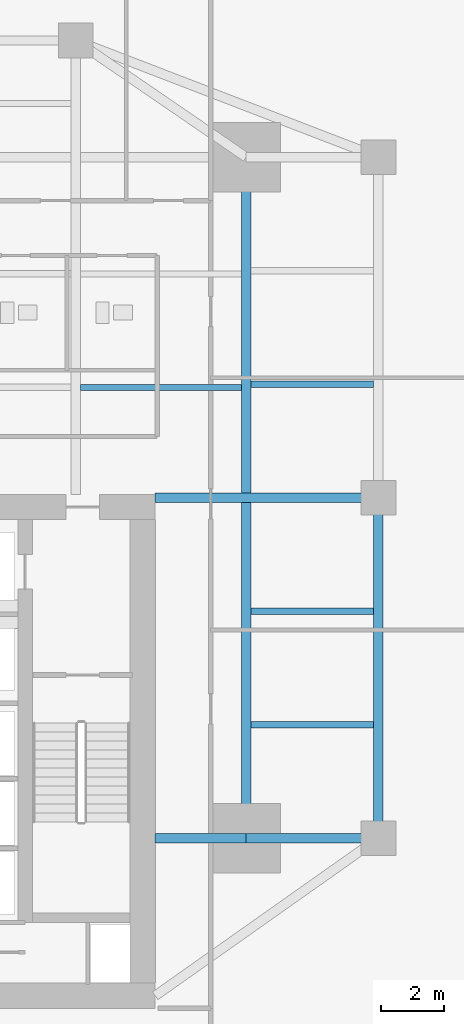
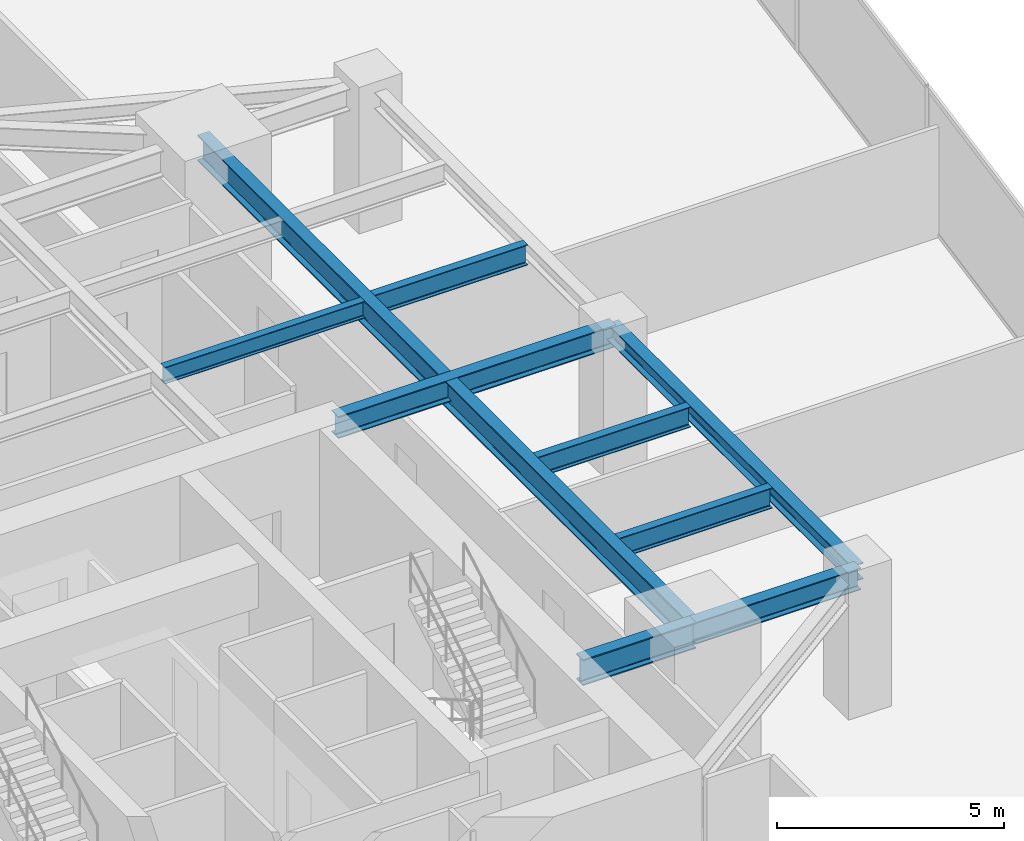
# One storey, part 13 of 29: 9 beams.
"""IFC4 building model written with IfcOpenShell, lengths in metres."""

import ifcopenshell
import ifcopenshell.guid

model = None  # the IFC model being written
_history = None  # IfcOwnerHistory: only IFC2X3 demands one
_inside = {}  # id of a spatial element -> (the spatial element, [elements in it])
_under = {}  # id of a project, library or spatial element -> (it, [spatial elements below it])
_declared = {}  # id of a project -> (the project, [libraries it declares])
_typed = {}  # id of a type object -> (the type object, [elements of that type])
_made_of = {}  # id of a material, layer set ... -> (it, [elements and type objects made of it])


def new_model(schema):
    """Start an empty IFC model of exactly this schema.

    Asked for "IFC4X3", IfcOpenShell would pick the latest addendum, in which some entities
    have other attributes; the version numbers below select the first issue.
    IFC2X3 requires an IfcOwnerHistory on every rooted entity: one is made here for all.
    """
    global model, _history
    if schema == "IFC4X3":
        model = ifcopenshell.file(schema_version=(4, 3, 0, 0))
    else:
        model = ifcopenshell.file(schema=schema)
    _inside.clear()
    _under.clear()
    _declared.clear()
    _typed.clear()
    _made_of.clear()
    _history = None
    if model.schema == "IFC2X3":
        org = make("IfcOrganization", Name="unknown")
        user = make(
            "IfcPersonAndOrganization",
            ThePerson=make("IfcPerson", FamilyName="unknown"),
            TheOrganization=org,
        )
        app = make(
            "IfcApplication",
            ApplicationDeveloper=org,
            Version="unknown",
            ApplicationFullName="unknown",
            ApplicationIdentifier="unknown",
        )
        _history = make(
            "IfcOwnerHistory",
            OwningUser=user,
            OwningApplication=app,
            ChangeAction="ADDED",
            CreationDate=0,
        )
    return model


def make(cls, **values):
    """One entity of the class cls with the attributes given. An attribute that is None is left unset."""
    return model.create_entity(
        cls, **{name: value for name, value in values.items() if value is not None}
    )


def rooted(cls, **values):
    """An entity with a GlobalId (a new one), such as an element, a storey or a relation."""
    return make(cls, GlobalId=ifcopenshell.guid.new(), OwnerHistory=_history, **values)


def si_unit(unit_type, name, prefix=None):
    """IfcSIUnit, for example si_unit("LENGTHUNIT", "METRE", prefix="MILLI")."""
    return make("IfcSIUnit", UnitType=unit_type, Prefix=prefix, Name=name)


def assignment(units):
    """IfcUnitAssignment: the units of a project."""
    return None if units is None else make("IfcUnitAssignment", Units=units)


def point(xyz):
    """IfcCartesianPoint."""
    return None if xyz is None else make("IfcCartesianPoint", Coordinates=xyz)


def direction(xyz):
    """IfcDirection."""
    return None if xyz is None else make("IfcDirection", DirectionRatios=xyz)


def frame(location, z_axis=None, x_axis=None):
    """IfcAxis2Placement3D, a coordinate frame: its origin and axes. An axis left out is left unset."""
    return make(
        "IfcAxis2Placement3D",
        Location=point(location),
        Axis=direction(z_axis),
        RefDirection=direction(x_axis),
    )


def frame_2d(location, x_axis=None):
    """IfcAxis2Placement2D, a coordinate frame in the plane: its origin and x axis."""
    return make(
        "IfcAxis2Placement2D", Location=point(location), RefDirection=direction(x_axis)
    )


def origin():
    """The frame at (0, 0, 0) with its axes left unset."""
    return frame((0.0, 0.0, 0.0))


def origin_2d():
    """The frame at (0, 0) in the plane with its x axis left unset."""
    return frame_2d((0.0, 0.0))


def place(relative_to, where):
    """IfcLocalPlacement: puts the frame where relative to a parent placement (None: the world)."""
    return make(
        "IfcLocalPlacement", PlacementRelTo=relative_to, RelativePlacement=where
    )


def context(
    kind, dimensions, precision=None, world=None, true_north=None, identifier=None
):
    """IfcGeometricRepresentationContext, for example the 3D "Model" context."""
    return make(
        "IfcGeometricRepresentationContext",
        ContextIdentifier=identifier,
        ContextType=kind,
        CoordinateSpaceDimension=dimensions,
        Precision=precision,
        WorldCoordinateSystem=world,
        TrueNorth=true_north,
    )


def subcontext(parent, identifier, kind, view, scale=None):
    """IfcGeometricRepresentationSubContext, for example "Body" below "Model"."""
    return make(
        "IfcGeometricRepresentationSubContext",
        ContextIdentifier=identifier,
        ContextType=kind,
        ParentContext=parent,
        TargetScale=scale,
        TargetView=view,
    )


def project(units=None, contexts=None):
    """IfcProject with its units and contexts."""
    return rooted(
        "IfcProject",
        Name="project",
        RepresentationContexts=contexts,
        UnitsInContext=assignment(units),
    )


def spatial(cls, under=None, at=None, **own):
    """A site, building, storey or space (cls), placed at a placement, below another one or the project."""
    s = rooted(cls, ObjectPlacement=at, **own)
    if under is not None:
        _under.setdefault(under.id(), (under, []))[1].append(s)
    return s


def profile(cls, at=None, kind="AREA", **sizes):
    """A parametric profile (cls). Its sizes go by their IFC names, for example OverallWidth=200.0."""
    return make(cls, ProfileType=kind, Position=at, **sizes)


def i_section(**sizes):
    """IfcIShapeProfileDef."""
    return profile("IfcIShapeProfileDef", **sizes)


def extrude(swept, where, along, depth):
    """IfcExtrudedAreaSolid: the profile swept, set in the frame where, extruded along a direction by depth."""
    return make(
        "IfcExtrudedAreaSolid",
        SweptArea=swept,
        Position=where,
        ExtrudedDirection=direction(along),
        Depth=depth,
    )


def shape(context_of_items, identifier, shape_type, items):
    """IfcShapeRepresentation: the items that make up one representation, for example the "Body"."""
    return make(
        "IfcShapeRepresentation",
        ContextOfItems=context_of_items,
        RepresentationIdentifier=identifier,
        RepresentationType=shape_type,
        Items=items,
    )


def source(mapping_origin, context_of_items, identifier, shape_type, items):
    """IfcRepresentationMap: a shape defined once, which mapped items show again and again."""
    return make(
        "IfcRepresentationMap",
        MappingOrigin=mapping_origin,
        MappedRepresentation=shape(context_of_items, identifier, shape_type, items),
    )


def transform(
    local_origin,
    x_axis=None,
    y_axis=None,
    z_axis=None,
    scale=None,
    scale2=None,
    scale3=None,
    uniform=True,
):
    """IfcCartesianTransformationOperator3D, or its non-uniform kind. x_axis, y_axis, z_axis: its Axis1, 2, 3."""
    if uniform:
        return make(
            "IfcCartesianTransformationOperator3D",
            Axis1=direction(x_axis),
            Axis2=direction(y_axis),
            LocalOrigin=point(local_origin),
            Scale=scale,
            Axis3=direction(z_axis),
        )
    return make(
        "IfcCartesianTransformationOperator3DnonUniform",
        Axis1=direction(x_axis),
        Axis2=direction(y_axis),
        LocalOrigin=point(local_origin),
        Scale=scale,
        Axis3=direction(z_axis),
        Scale2=scale2,
        Scale3=scale3,
    )


def mapped(mapping_source, mapping_target):
    """IfcMappedItem: shows the shape of a source again, moved by a transform."""
    return make(
        "IfcMappedItem", MappingSource=mapping_source, MappingTarget=mapping_target
    )


def material(Name=None, Category=None):
    """IfcMaterial."""
    return make("IfcMaterial", Name=Name, Category=Category)


def material_profile(
    of_material, cross_section, Name=None, Category=None, Priority=None
):
    """IfcMaterialProfile: a cross section and its material."""
    return make(
        "IfcMaterialProfile",
        Name=Name,
        Material=of_material,
        Profile=cross_section,
        Priority=Priority,
        Category=Category,
    )


def profile_set(profiles, Name=None, composite=None):
    """IfcMaterialProfileSet."""
    return make(
        "IfcMaterialProfileSet",
        Name=Name,
        MaterialProfiles=profiles,
        CompositeProfile=composite,
    )


def made_of(thing, what):
    """Note that an element or type object is made of a material, layer set ...; save() writes the relation."""
    if what is not None:
        _made_of.setdefault(what.id(), (what, []))[1].append(thing)
    return thing


def type_object(cls, material=None, **own):
    """A type object (cls), such as IfcWallType, which elements share."""
    return made_of(rooted(cls, **own), material)


def type_shapes(of_type, sources):
    """Give a type object the sources (RepresentationMaps) that its elements show as mapped items."""
    of_type.RepresentationMaps = sources


def element(
    cls,
    number,
    at=None,
    inside=None,
    cuts=None,
    type_object=None,
    material=None,
    context=None,
    identifier="Body",
    shape_type=None,
    held_by="IfcProductDefinitionShape",
    body=None,
    shapes=None,
    **own,
):
    """One element of the class cls, such as IfcWall. Its Tag is "e" and its number.

    at: its placement. inside: the storey or other place that contains it. cuts: it is an
    opening in that element (IfcRelVoidsElement). A single representation is given by context,
    identifier, shape_type and body (its items); several are given by shapes. held_by: the class
    of the entity that holds the representations. save() writes the other relations.
    """
    e = rooted(cls, Tag="e%d" % number, ObjectPlacement=at, **own)
    if body is not None:
        shapes = [shape(context, identifier, shape_type, body)]
    if shapes is not None:
        e.Representation = make(held_by, Representations=shapes)
    if inside is not None:
        _inside.setdefault(inside.id(), (inside, []))[1].append(e)
    if cuts is not None:
        rooted(
            "IfcRelVoidsElement", RelatingBuildingElement=cuts, RelatedOpeningElement=e
        )
    if type_object is not None:
        _typed.setdefault(type_object.id(), (type_object, []))[1].append(e)
    return made_of(e, material)


def aggregate(whole, parts):
    """IfcRelAggregates: a whole, such as a stair, and the parts it consists of."""
    return rooted("IfcRelAggregates", RelatingObject=whole, RelatedObjects=parts)


def save(model, path):
    """Write the relations noted so far, then the file.

    IfcRelAggregates (storeys below a building ...), IfcRelContainedInSpatialStructure (elements
    in a storey), IfcRelDefinesByType, IfcRelAssociatesMaterial and IfcRelDeclares: one each for
    every whole, place, type object, material and project.
    """
    for whole, parts in _under.values():
        aggregate(whole, parts)
    for where, things in _inside.values():
        rooted(
            "IfcRelContainedInSpatialStructure",
            RelatedElements=things,
            RelatingStructure=where,
        )
    for kind, things in _typed.values():
        rooted("IfcRelDefinesByType", RelatedObjects=things, RelatingType=kind)
    for what, things in _made_of.values():
        rooted("IfcRelAssociatesMaterial", RelatedObjects=things, RelatingMaterial=what)
    for by, libraries in _declared.values():
        rooted("IfcRelDeclares", RelatingContext=by, RelatedDefinitions=libraries)
    model.write(path)


model = new_model("IFC4")

# Units and contexts
model_context = context("Model", 3, precision=1e-05, world=origin(), true_north=direction((0.0, 1.0)))
body_context = subcontext(model_context, "Body", "Model", "MODEL_VIEW")
ifc_project = project(units=[si_unit("LENGTHUNIT", "METRE"), si_unit("AREAUNIT", "SQUARE_METRE"), si_unit("VOLUMEUNIT", "CUBIC_METRE"), si_unit("PLANEANGLEUNIT", "RADIAN"), si_unit("MASSUNIT", "GRAM", prefix="KILO")], contexts=[model_context])

# Site, building, storey
site_placement = place(None, origin())
site = spatial("IfcSite", under=ifc_project, at=site_placement, CompositionType="ELEMENT")
building_placement = place(site_placement, origin())
building = spatial("IfcBuilding", under=site, at=building_placement, Name="Krantzveldt Concourse Tower", CompositionType="ELEMENT")
storey_placement = place(building_placement, frame((0.0, 0.0, 60.550048828125)))
storey = spatial("IfcBuildingStorey", under=building, at=storey_placement, Name="L14", CompositionType="ELEMENT", Elevation=60.550048828125)

# Beams
ifc_material_1 = material(Name="Steel S355J2", Category="steel")
ifc_material_profile_1 = material_profile(ifc_material_1, i_section(OverallWidth=0.300048828125, OverallDepth=0.699951171875, WebThickness=0.01708984375, FlangeThickness=0.031982421875, FilletRadius=0.027099609375, at=origin_2d()), Name="Steel S355J2", Category="steel")
ifc_profile_set_1 = profile_set([ifc_material_profile_1], Name="Steel S355J2 - HEB 700")
beam_type_1 = type_object("IfcBeamType", Name="BM-B-HEB700", PredefinedType="BEAM", material=ifc_profile_set_1)
shared_shape_1 = source(origin(), body_context, "Body", "SweptSolid", [
    extrude(i_section(OverallWidth=0.300048828125, OverallDepth=0.699951171875, WebThickness=0.01708984375, FlangeThickness=0.031982421875, FilletRadius=0.027099609375, at=origin_2d()), origin(), (0.0, 0.0, 1.0), 2.880126953125),
])
beam_1_placement = place(storey_placement, frame((43.919921875, 15.89990234375, 3.320068359375), z_axis=(1.0, 0.0, 0.0), x_axis=(0.0, 1.0, 0.0)))
element("IfcBeam", 1, at=beam_1_placement, inside=storey, type_object=beam_type_1, Name="L14 Tower Girder BG-CE1", PredefinedType="BEAM", context=body_context, shape_type="MappedRepresentation", body=[
    mapped(shared_shape_1, transform((0.0, 0.0, 0.0), x_axis=(1.0, 0.0, 0.0), y_axis=(0.0, 1.0, 0.0), z_axis=(0.0, 0.0, 1.0), scale=1.0)),
])
shared_shape_2 = source(origin(), body_context, "Body", "SweptSolid", [
    extrude(i_section(OverallWidth=0.300048828125, OverallDepth=0.699951171875, WebThickness=0.01708984375, FlangeThickness=0.031982421875, FilletRadius=0.027099609375, at=origin_2d()), origin(), (0.0, 0.0, 1.0), 21.60009765625),
])
type_shapes(beam_type_1, [shared_shape_1, shared_shape_2])
beam_2_placement = place(storey_placement, frame((46.800048828125, 15.89990234375, 3.320068359375), z_axis=(0.0, 1.0, 0.0), x_axis=(-1.0, 0.0, 0.0)))
element("IfcBeam", 2, at=beam_2_placement, inside=storey, type_object=beam_type_1, Name="L14 Tower Girder BG-ME", PredefinedType="BEAM", context=body_context, shape_type="MappedRepresentation", body=[
    mapped(shared_shape_2, transform((0.0, 0.0, 0.0), x_axis=(1.0, 0.0, 0.0), y_axis=(0.0, 1.0, 0.0), z_axis=(0.0, 0.0, 1.0), scale=1.0)),
])
ifc_material_2 = material(Name="Steel S355JR", Category="steel")
ifc_material_profile_2 = material_profile(ifc_material_2, i_section(OverallWidth=0.300048828125, OverallDepth=0.590087890625, WebThickness=0.012939453125, FlangeThickness=0.02490234375, FilletRadius=0.027099609375, at=origin_2d()), Name="Steel S355JR", Category="steel")
ifc_profile_set_2 = profile_set([ifc_material_profile_2], Name="Steel S355JR - HEA 600")
beam_type_2 = type_object("IfcBeamType", Name="BM-B-HEA600", PredefinedType="BEAM", material=ifc_profile_set_2)
shared_shape_3 = source(origin(), body_context, "Body", "SweptSolid", [
    extrude(i_section(OverallWidth=0.300048828125, OverallDepth=0.590087890625, WebThickness=0.012939453125, FlangeThickness=0.02490234375, FilletRadius=0.027099609375, at=origin_2d()), origin(), (0.0, 0.0, 1.0), 7.080078125),
])
beam_3_placement = place(storey_placement, frame((43.919921875, 26.699951171875, 3.375), z_axis=(1.0, 0.0, 0.0), x_axis=(0.0, 1.0, 0.0)))
element("IfcBeam", 3, at=beam_3_placement, inside=storey, type_object=beam_type_2, Name="L14 Tower Girder BG-CE2", PredefinedType="BEAM", context=body_context, shape_type="MappedRepresentation", body=[
    mapped(shared_shape_3, transform((0.0, 0.0, 0.0), x_axis=(1.0, 0.0, 0.0), y_axis=(0.0, 1.0, 0.0), z_axis=(0.0, 0.0, 1.0), scale=1.0)),
])
ifc_material_profile_3 = material_profile(ifc_material_2, i_section(OverallWidth=0.300048828125, OverallDepth=0.43994140625, WebThickness=0.011474609375, FlangeThickness=0.02099609375, FilletRadius=0.027099609375, at=origin_2d()), Name="Steel S355JR", Category="steel")
ifc_profile_set_3 = profile_set([ifc_material_profile_3], Name="Steel S355JR - HEA 450")
beam_type_3 = type_object("IfcBeamType", Name="BM-SP-HEA450", PredefinedType="SPANDREL", material=ifc_profile_set_3)
shared_shape_4 = source(origin(), body_context, "Body", "SweptSolid", [
    extrude(i_section(OverallWidth=0.300048828125, OverallDepth=0.43994140625, WebThickness=0.011474609375, FlangeThickness=0.02099609375, FilletRadius=0.027099609375, at=origin_2d()), origin(), (0.0, 0.0, 1.0), 10.800048828125),
])
type_shapes(beam_type_3, [shared_shape_4])
beam_4_placement = place(storey_placement, frame((51.0, 26.699951171875, 3.449951171875), z_axis=(0.0, -1.0, 0.0), x_axis=(1.0, 0.0, 0.0)))
element("IfcBeam", 4, at=beam_4_placement, inside=storey, type_object=beam_type_3, Name="L14 Tower Girder SP-R07", PredefinedType="SPANDREL", context=body_context, shape_type="MappedRepresentation", body=[
    mapped(shared_shape_4, transform((0.0, 0.0, 0.0), x_axis=(1.0, 0.0, 0.0), y_axis=(0.0, 1.0, 0.0), z_axis=(0.0, 0.0, 1.0), scale=1.0)),
])
shared_shape_5 = source(origin(), body_context, "Body", "SweptSolid", [
    extrude(i_section(OverallWidth=0.300048828125, OverallDepth=0.590087890625, WebThickness=0.012939453125, FlangeThickness=0.02490234375, FilletRadius=0.027099609375, at=origin_2d()), origin(), (0.0, 0.0, 1.0), 4.199951171875),
])
type_shapes(beam_type_2, [shared_shape_3, shared_shape_5])
beam_5_placement = place(storey_placement, frame((46.800048828125, 15.89990234375, 3.375), z_axis=(1.0, 0.0, 0.0), x_axis=(0.0, 1.0, 0.0)))
element("IfcBeam", 5, at=beam_5_placement, inside=storey, type_object=beam_type_2, Name="L14 Tower Girder BR-RR1", PredefinedType="BEAM", context=body_context, shape_type="MappedRepresentation", body=[
    mapped(shared_shape_5, transform((0.0, 0.0, 0.0), x_axis=(1.0, 0.0, 0.0), y_axis=(0.0, 1.0, 0.0), z_axis=(0.0, 0.0, 1.0), scale=1.0)),
])
ifc_material_profile_4 = material_profile(ifc_material_2, i_section(OverallWidth=0.18994140625, OverallDepth=0.449951171875, WebThickness=0.009521484375, FlangeThickness=0.0146484375, FilletRadius=0.02099609375, at=origin_2d()), Name="Steel S355JR", Category="steel")
ifc_profile_set_4 = profile_set([ifc_material_profile_4], Name="Steel S355JR - IPE 450")
beam_type_4 = type_object("IfcBeamType", Name="BM-J-IPE450", PredefinedType="JOIST", material=ifc_profile_set_4)
shared_shape_6 = source(origin(), body_context, "Body", "SweptSolid", [
    extrude(i_section(OverallWidth=0.18994140625, OverallDepth=0.449951171875, WebThickness=0.009521484375, FlangeThickness=0.0146484375, FilletRadius=0.02099609375, at=origin_2d()), origin(), (0.0, 0.0, 1.0), 5.099853515625),
])
type_shapes(beam_type_4, [shared_shape_6])
beam_6_placement = place(storey_placement, frame((41.550048828125, 30.199951171875, 3.445068359375), z_axis=(1.0, 0.0, 0.0), x_axis=(0.0, 1.0, 0.0)))
element("IfcBeam", 6, at=beam_6_placement, inside=storey, type_object=beam_type_4, Name="L14 Secondary Floor Joist JN-E1", PredefinedType="JOIST", context=body_context, shape_type="MappedRepresentation", body=[
    mapped(shared_shape_6, transform((0.0, 0.0, 0.0), x_axis=(1.0, 0.0, 0.0), y_axis=(0.0, 1.0, 0.0), z_axis=(0.0, 0.0, 1.0), scale=1.0)),
])
ifc_material_profile_5 = material_profile(ifc_material_2, i_section(OverallWidth=0.2099609375, OverallDepth=0.550048828125, WebThickness=0.010986328125, FlangeThickness=0.01708984375, FilletRadius=0.02392578125, at=origin_2d()), Name="Steel S355JR", Category="steel")
ifc_profile_set_5 = profile_set([ifc_material_profile_5], Name="Steel S355JR - IPE 550")
beam_type_5 = type_object("IfcBeamType", Name="BM-J-IPE550", PredefinedType="JOIST", material=ifc_profile_set_5)
shared_shape_7 = source(origin(), body_context, "Body", "SweptSolid", [
    extrude(i_section(OverallWidth=0.2099609375, OverallDepth=0.550048828125, WebThickness=0.010986328125, FlangeThickness=0.01708984375, FilletRadius=0.02392578125, at=origin_2d()), origin(), (0.0, 0.0, 1.0), 3.900146484375),
])
type_shapes(beam_type_5, [shared_shape_7])
for number, where, z_axis, x_axis, name in (
    (7, (46.949951171875, 19.5, 3.39501953125), (1.0, 0.0, 0.0), (0.0, 1.0, 0.0), "L14 Secondary Floor Joist JE-1"),
    (8, (46.949951171875, 23.10009765625, 3.39501953125), (1.0, 0.0, 0.0), (0.0, 1.0, 0.0), "L14 Secondary Floor Joist JE-2"),
    (9, (46.949951171875, 30.300048828125, 3.39501953125), (1.0, 0.0, 0.0), (0.0, 1.0, 0.0), "L14 Secondary Floor Joist JE-3"),
):
    element("IfcBeam", number, at=place(storey_placement, frame(where, z_axis=z_axis, x_axis=x_axis)), inside=storey, type_object=beam_type_5, Name=name, PredefinedType="JOIST", context=body_context, shape_type="MappedRepresentation", body=[
        mapped(shared_shape_7, transform((0.0, 0.0, 0.0), x_axis=(1.0, 0.0, 0.0), y_axis=(0.0, 1.0, 0.0), z_axis=(0.0, 0.0, 1.0), scale=1.0)),
    ])

save(model, "model.ifc")
